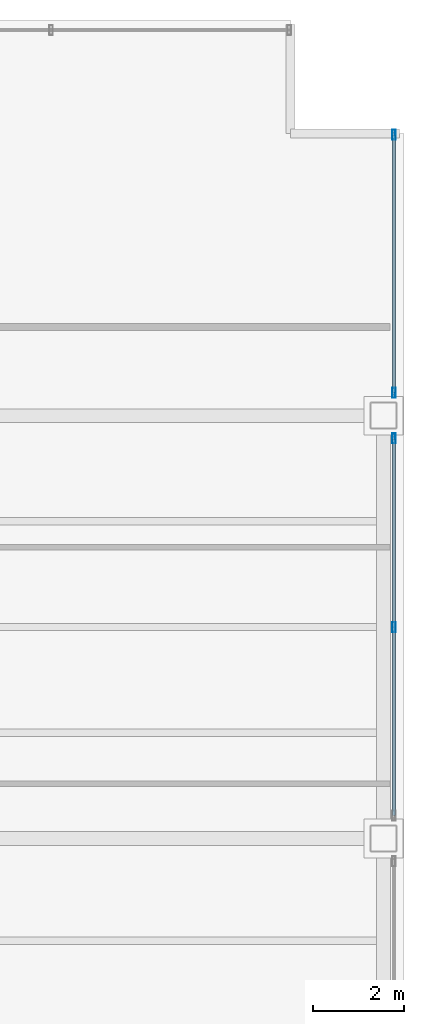
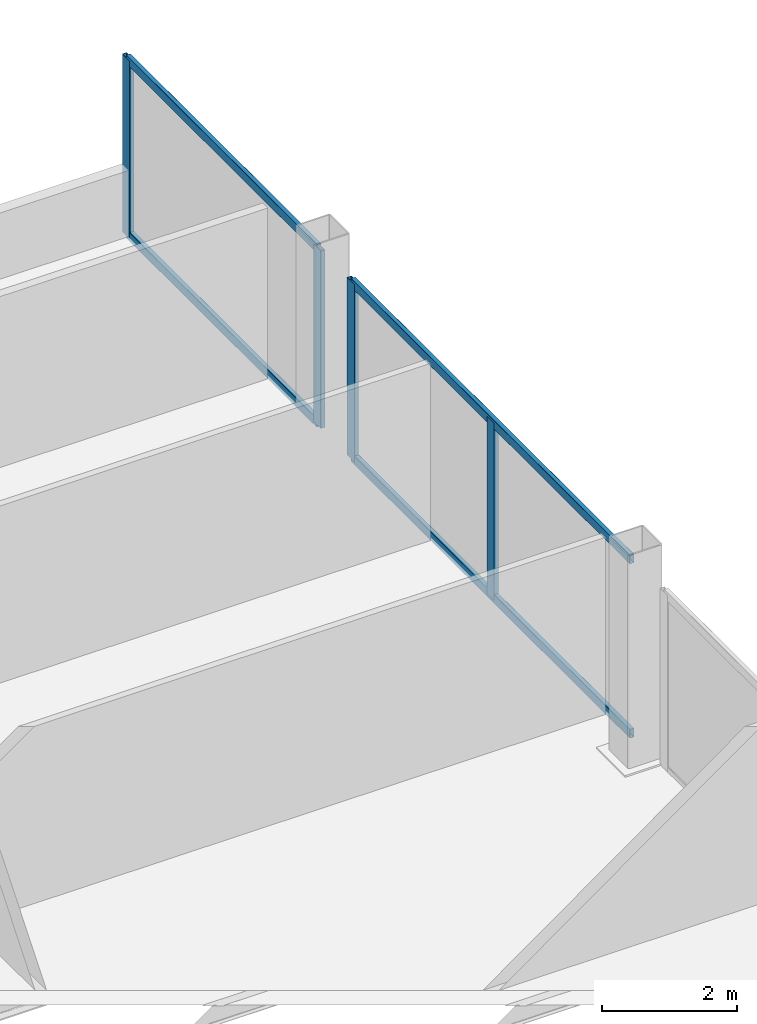
# One storey, part 12 of 20: 8 members, 2 elements without a shape of their own.
"""IFC4 building model written with IfcOpenShell, lengths in metres."""

from ifc_helpers import new_model, si_unit, direction, frame, origin, origin_2d, place, context, subcontext, project, spatial, hollow_rectangle, extrude, material, material_profile, profile_set, type_object, element, aggregate, save


model = new_model("IFC4")

# Units and contexts
model_context = context("Model", 3, precision=1e-05, world=origin(), true_north=direction((0.0, 1.0)))
body_context = subcontext(model_context, "Body", "Model", "MODEL_VIEW")
ifc_project = project(units=[si_unit("LENGTHUNIT", "METRE"), si_unit("AREAUNIT", "SQUARE_METRE"), si_unit("VOLUMEUNIT", "CUBIC_METRE"), si_unit("PLANEANGLEUNIT", "RADIAN"), si_unit("MASSUNIT", "GRAM", prefix="KILO")], contexts=[model_context])

# Site, building, storey
site_placement = place(None, origin())
site = spatial("IfcSite", under=ifc_project, at=site_placement, CompositionType="ELEMENT")
building_placement = place(site_placement, origin())
building = spatial("IfcBuilding", under=site, at=building_placement, Name="Noeulbin Bourse Tower", CompositionType="ELEMENT")
storey_placement = place(building_placement, frame((0.0, 0.0, 65.5)))
storey = spatial("IfcBuildingStorey", under=building, at=storey_placement, Name="L16", CompositionType="ELEMENT", Elevation=65.5)

# Curtain wall, members
ifc_material_1 = material(Name="Dark Solar-Control Double Glazing", Category="glass")
curtain_wall_type = type_object("IfcCurtainWallType", Name="CW-SYS-2", PredefinedType="NOTDEFINED", material=ifc_material_1)
curtain_wall_1_placement = place(storey_placement, origin())
curtain_wall_1 = element("IfcCurtainWall", 1, at=curtain_wall_1_placement, inside=storey, type_object=curtain_wall_type, Name="Unitised Curtain Wall CW-L16-E-S3", PredefinedType="NOTDEFINED")
ifc_material_2 = material(Name="Anodised Aluminium 6063-T6", Category="aluminium")
ifc_material_profile_1 = material_profile(ifc_material_2, hollow_rectangle(XDim=0.074951171875, YDim=0.219970703125, WallThickness=0.0048828125, InnerFilletRadius=0.00244140625, OuterFilletRadius=0.0048828125, at=origin_2d()), Name="ALU-MULL-75x220x5", Category="LoadBearing")
ifc_profile_set_1 = profile_set([ifc_material_profile_1], Name="Anodised Aluminium 6063-T6")
member_type_1 = type_object("IfcMemberType", Name="CW-SYS-2-MUL", PredefinedType="MULLION", material=ifc_profile_set_1)
member_1_placement = place(storey_placement, frame((57.280029296875, 33.64990234375, -0.02001953125), z_axis=(0.0, 0.0, 1.0), x_axis=(1.0, 0.0, 0.0)))
member_1 = element("IfcMember", 2, at=member_1_placement, type_object=member_type_1, Name="Curtain Wall Mullion CW-L16-E-S3-M01", PredefinedType="MULLION", context=body_context, shape_type="SweptSolid", body=[
    extrude(hollow_rectangle(XDim=0.074951171875, YDim=0.219970703125, WallThickness=0.0048828125, InnerFilletRadius=0.00244140625, OuterFilletRadius=0.0048828125, at=origin_2d()), origin(), (0.0, 0.0, 1.0), 3.219970703125),
])
member_2_placement = place(storey_placement, frame((57.280029296875, 37.800048828125, -0.02001953125), z_axis=(0.0, 0.0, 1.0), x_axis=(1.0, 0.0, 0.0)))
member_2 = element("IfcMember", 3, at=member_2_placement, type_object=member_type_1, Name="Curtain Wall Mullion CW-L16-E-S3-M02", PredefinedType="MULLION", context=body_context, shape_type="SweptSolid", body=[
    extrude(hollow_rectangle(XDim=0.074951171875, YDim=0.219970703125, WallThickness=0.0048828125, InnerFilletRadius=0.00244140625, OuterFilletRadius=0.0048828125, at=origin_2d()), origin(), (0.0, 0.0, 1.0), 3.219970703125),
])

curtain_wall_2_placement = place(storey_placement, origin())
curtain_wall_2 = element("IfcCurtainWall", 4, at=curtain_wall_2_placement, inside=storey, type_object=curtain_wall_type, Name="Unitised Curtain Wall CW-L16-E-S4", PredefinedType="NOTDEFINED")
member_3_placement = place(storey_placement, frame((57.280029296875, 38.800048828125, -0.02001953125), z_axis=(0.0, 0.0, 1.0), x_axis=(1.0, 0.0, 0.0)))
member_3 = element("IfcMember", 5, at=member_3_placement, type_object=member_type_1, Name="Curtain Wall Mullion CW-L16-E-S4-M00", PredefinedType="MULLION", context=body_context, shape_type="SweptSolid", body=[
    extrude(hollow_rectangle(XDim=0.074951171875, YDim=0.219970703125, WallThickness=0.0048828125, InnerFilletRadius=0.00244140625, OuterFilletRadius=0.0048828125, at=origin_2d()), origin(), (0.0, 0.0, 1.0), 3.219970703125),
])
member_4_placement = place(storey_placement, frame((57.280029296875, 44.47998046875, -0.02001953125), z_axis=(0.0, 0.0, 1.0), x_axis=(1.0, 0.0, 0.0)))
member_4 = element("IfcMember", 6, at=member_4_placement, type_object=member_type_1, Name="Curtain Wall Mullion CW-L16-E-S4-M01", PredefinedType="MULLION", context=body_context, shape_type="SweptSolid", body=[
    extrude(hollow_rectangle(XDim=0.074951171875, YDim=0.219970703125, WallThickness=0.0048828125, InnerFilletRadius=0.00244140625, OuterFilletRadius=0.0048828125, at=origin_2d()), origin(), (0.0, 0.0, 1.0), 3.219970703125),
])

# Member
ifc_material_profile_2 = material_profile(ifc_material_2, hollow_rectangle(XDim=0.074951171875, YDim=0.159912109375, WallThickness=0.0048828125, InnerFilletRadius=0.00244140625, OuterFilletRadius=0.0048828125, at=origin_2d()), Name="ALU-TRAN-75x160x5", Category="LoadBearing")
ifc_profile_set_2 = profile_set([ifc_material_profile_2], Name="Anodised Aluminium 6063-T6")
member_type_2 = type_object("IfcMemberType", Name="CW-SYS-2-TRN", PredefinedType="USERDEFINED", material=ifc_profile_set_2)
member_5_placement = place(storey_placement, frame((57.280029296875, 29.510009765625, 0.010009765625), z_axis=(0.0, 1.0, 0.0), x_axis=(-1.0, 0.0, 0.0)))
member_5 = element("IfcMember", 7, at=member_5_placement, type_object=member_type_2, Name="Curtain Wall Transom CW-L16-E-S3-T00", ObjectType="TRANSOM", PredefinedType="USERDEFINED", context=body_context, shape_type="SweptSolid", body=[
    extrude(hollow_rectangle(XDim=0.074951171875, YDim=0.159912109375, WallThickness=0.0048828125, InnerFilletRadius=0.00244140625, OuterFilletRadius=0.0048828125, at=origin_2d()), origin(), (0.0, 0.0, 1.0), 8.280029296875),
])

member_6_placement = place(storey_placement, frame((57.280029296875, 29.510009765625, 3.169921875), z_axis=(0.0, 1.0, 0.0), x_axis=(-1.0, 0.0, 0.0)))
member_6 = element("IfcMember", 8, at=member_6_placement, type_object=member_type_2, Name="Curtain Wall Transom CW-L16-E-S3-T01", ObjectType="TRANSOM", PredefinedType="USERDEFINED", context=body_context, shape_type="SweptSolid", body=[
    extrude(hollow_rectangle(XDim=0.074951171875, YDim=0.159912109375, WallThickness=0.0048828125, InnerFilletRadius=0.00244140625, OuterFilletRadius=0.0048828125, at=origin_2d()), origin(), (0.0, 0.0, 1.0), 8.280029296875),
])

aggregate(curtain_wall_1, [member_1, member_2, member_5, member_6])

member_7_placement = place(storey_placement, frame((57.280029296875, 38.81005859375, 0.010009765625), z_axis=(0.0, 1.0, 0.0), x_axis=(-1.0, 0.0, 0.0)))
member_7 = element("IfcMember", 9, at=member_7_placement, type_object=member_type_2, Name="Curtain Wall Transom CW-L16-E-S4-T00", ObjectType="TRANSOM", PredefinedType="USERDEFINED", context=body_context, shape_type="SweptSolid", body=[
    extrude(hollow_rectangle(XDim=0.074951171875, YDim=0.159912109375, WallThickness=0.0048828125, InnerFilletRadius=0.00244140625, OuterFilletRadius=0.0048828125, at=origin_2d()), origin(), (0.0, 0.0, 1.0), 5.659912109375),
])

member_8_placement = place(storey_placement, frame((57.280029296875, 38.81005859375, 3.169921875), z_axis=(0.0, 1.0, 0.0), x_axis=(-1.0, 0.0, 0.0)))
member_8 = element("IfcMember", 10, at=member_8_placement, type_object=member_type_2, Name="Curtain Wall Transom CW-L16-E-S4-T01", ObjectType="TRANSOM", PredefinedType="USERDEFINED", context=body_context, shape_type="SweptSolid", body=[
    extrude(hollow_rectangle(XDim=0.074951171875, YDim=0.159912109375, WallThickness=0.0048828125, InnerFilletRadius=0.00244140625, OuterFilletRadius=0.0048828125, at=origin_2d()), origin(), (0.0, 0.0, 1.0), 5.659912109375),
])

aggregate(curtain_wall_2, [member_3, member_4, member_7, member_8])

save(model, "model.ifc")
